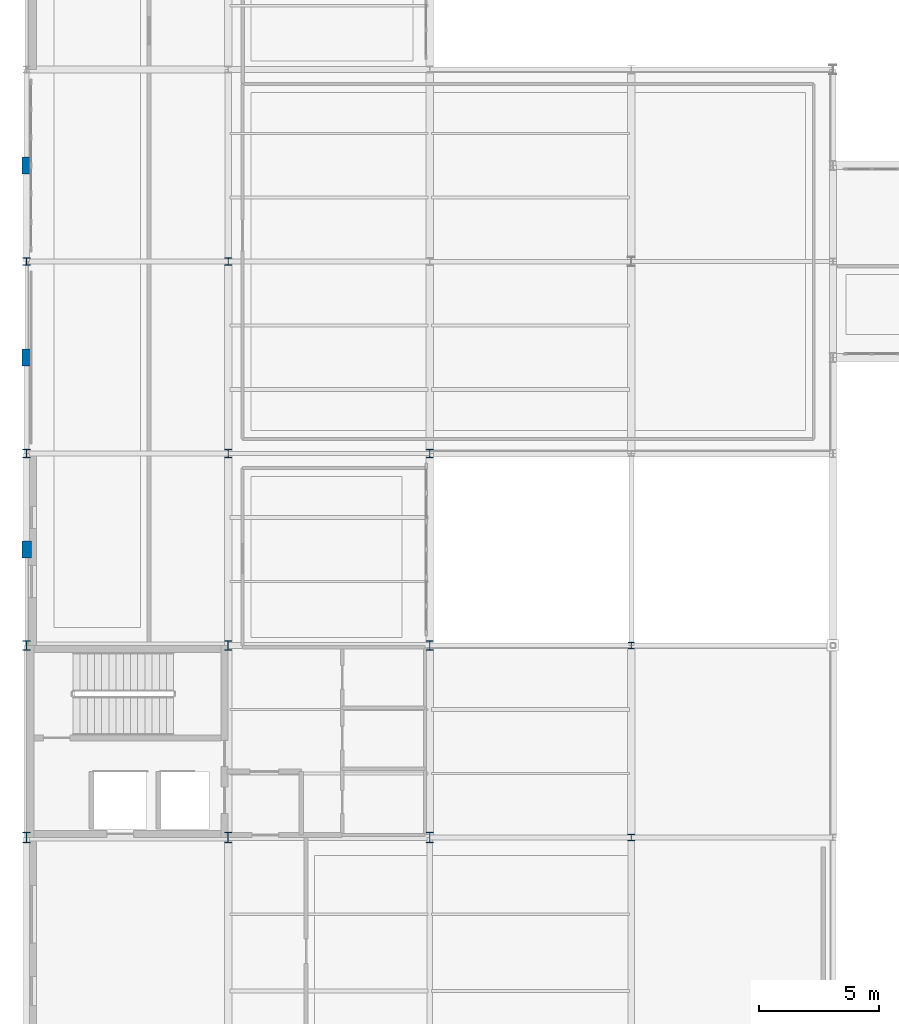
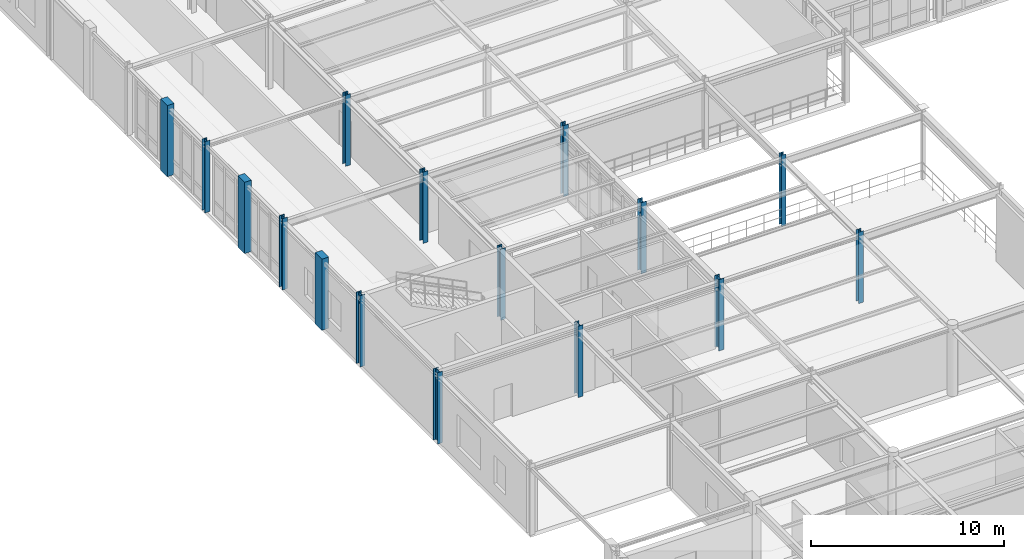
# One storey, part 5 of 106: 16 columns.
"""IFC4 building model written with IfcOpenShell, lengths in metres."""

from ifc_helpers import new_model, si_unit, derived_unit, direction, frame, origin, origin_2d, place, context, subcontext, project, spatial, rectangle, i_section, extrude, material, material_profile, profile_set, type_object, element, save


model = new_model("IFC4")

# Units and contexts
model_context = context("Model", 3, precision=1e-05, world=origin(), true_north=direction((0.0, 1.0)))
body_context = subcontext(model_context, "Body", "Model", "MODEL_VIEW")
ifc_project = project(units=[si_unit("LENGTHUNIT", "METRE"), si_unit("AREAUNIT", "SQUARE_METRE"), si_unit("VOLUMEUNIT", "CUBIC_METRE"), si_unit("PLANEANGLEUNIT", "RADIAN"), si_unit("MASSUNIT", "GRAM", prefix="KILO"), derived_unit("THERMALTRANSMITTANCEUNIT", [(si_unit("POWERUNIT", "WATT"), 1), (si_unit("AREAUNIT", "SQUARE_METRE"), -1), (si_unit("THERMODYNAMICTEMPERATUREUNIT", "KELVIN"), -1)])], contexts=[model_context])

# Site, building, storey
site_placement = place(None, origin())
site = spatial("IfcSite", under=ifc_project, at=site_placement, CompositionType="ELEMENT")
building_placement = place(site_placement, origin())
building = spatial("IfcBuilding", under=site, at=building_placement, Name="Yasenodar Specialist Clinic", CompositionType="ELEMENT")
storey_placement = place(building_placement, frame((0.0, 0.0, 4.5)))
storey = spatial("IfcBuildingStorey", under=building, at=storey_placement, Name="L01", CompositionType="ELEMENT", Elevation=4.5)

# Columns
ifc_material_1 = material(Name="Steel S355", Category="steel")
ifc_material_profile_1 = material_profile(ifc_material_1, i_section(OverallWidth=0.260009765625, OverallDepth=0.260009765625, WebThickness=0.010009765625, FlangeThickness=0.017578125, FilletRadius=0.02392578125, at=origin_2d()), Name="HEB 260")
ifc_profile_set_1 = profile_set([ifc_material_profile_1], Name="Steel S355")
column_type_1 = type_object("IfcColumnType", Name="COL-ST-HEB260", PredefinedType="COLUMN", material=ifc_profile_set_1)
column_1_placement = place(storey_placement, frame((25.199951171875, 42.800048828125, 0.0), z_axis=(0.0, 0.0, 1.0), x_axis=(1.0, 0.0, 0.0)))
element("IfcColumn", 1, at=column_1_placement, inside=storey, type_object=column_type_1, Name="L01 Column V4-051", PredefinedType="COLUMN", context=body_context, shape_type="SweptSolid", body=[
    extrude(i_section(OverallWidth=0.260009765625, OverallDepth=0.260009765625, WebThickness=0.010009765625, FlangeThickness=0.017578125, FilletRadius=0.02392578125, at=origin_2d()), origin(), (0.0, 0.0, 1.0), 4.5),
])
ifc_material_profile_2 = material_profile(ifc_material_1, i_section(OverallWidth=0.280029296875, OverallDepth=0.280029296875, WebThickness=0.010498046875, FlangeThickness=0.01806640625, FilletRadius=0.02392578125, at=origin_2d()), Name="HEB 280")
ifc_profile_set_2 = profile_set([ifc_material_profile_2], Name="Steel S355")
column_type_2 = type_object("IfcColumnType", Name="COL-ST-HEB280", PredefinedType="COLUMN", material=ifc_profile_set_2)
column_2_placement = place(storey_placement, frame((25.199951171875, 34.800048828125, 0.0), z_axis=(0.0, 0.0, 1.0), x_axis=(1.0, 0.0, 0.0)))
element("IfcColumn", 2, at=column_2_placement, inside=storey, type_object=column_type_2, Name="L01 Column V4-050", PredefinedType="COLUMN", context=body_context, shape_type="SweptSolid", body=[
    extrude(i_section(OverallWidth=0.280029296875, OverallDepth=0.280029296875, WebThickness=0.010498046875, FlangeThickness=0.01806640625, FilletRadius=0.02392578125, at=origin_2d()), origin(), (0.0, 0.0, 1.0), 4.5),
])
ifc_material_profile_3 = material_profile(ifc_material_1, i_section(OverallWidth=0.300048828125, OverallDepth=0.300048828125, WebThickness=0.010986328125, FlangeThickness=0.01904296875, FilletRadius=0.027099609375, at=origin_2d()), Name="HEB 300")
ifc_profile_set_3 = profile_set([ifc_material_profile_3], Name="Steel S355")
column_type_3 = type_object("IfcColumnType", Name="COL-ST-HEB300", PredefinedType="COLUMN", material=ifc_profile_set_3)
for number, where, z_axis, x_axis, name in (
    (3, (0.0, 58.800048828125, 0.0), (0.0, 0.0, 1.0), (1.0, 0.0, 0.0), "L01 Column V4-008"),
    (4, (8.39990234375, 58.800048828125, 0.0), (0.0, 0.0, 1.0), (1.0, 0.0, 0.0), "L01 Column V4-023"),
):
    element("IfcColumn", number, at=place(storey_placement, frame(where, z_axis=z_axis, x_axis=x_axis)), inside=storey, type_object=column_type_3, Name=name, PredefinedType="COLUMN", context=body_context, shape_type="SweptSolid", body=[
        extrude(i_section(OverallWidth=0.300048828125, OverallDepth=0.300048828125, WebThickness=0.010986328125, FlangeThickness=0.01904296875, FilletRadius=0.027099609375, at=origin_2d()), origin(), (0.0, 0.0, 1.0), 4.5),
    ])
ifc_material_profile_4 = material_profile(ifc_material_1, i_section(OverallWidth=0.300048828125, OverallDepth=0.340087890625, WebThickness=0.011962890625, FlangeThickness=0.021484375, FilletRadius=0.027099609375, at=origin_2d()), Name="HEB 340")
ifc_profile_set_4 = profile_set([ifc_material_profile_4], Name="Steel S355")
column_type_4 = type_object("IfcColumnType", Name="COL-ST-HEB340", PredefinedType="COLUMN", material=ifc_profile_set_4)
for number, where, z_axis, x_axis, name in (
    (5, (0.0, 50.800048828125, 0.0), (0.0, 0.0, 1.0), (1.0, 0.0, 0.0), "L01 Column V4-007"),
    (6, (8.39990234375, 50.800048828125, 0.0), (0.0, 0.0, 1.0), (1.0, 0.0, 0.0), "L01 Column V4-022"),
    (7, (16.800048828125, 50.800048828125, 0.0), (0.0, 0.0, 1.0), (1.0, 0.0, 0.0), "L01 Column V4-037"),
):
    element("IfcColumn", number, at=place(storey_placement, frame(where, z_axis=z_axis, x_axis=x_axis)), inside=storey, type_object=column_type_4, Name=name, PredefinedType="COLUMN", context=body_context, shape_type="SweptSolid", body=[
        extrude(i_section(OverallWidth=0.300048828125, OverallDepth=0.340087890625, WebThickness=0.011962890625, FlangeThickness=0.021484375, FilletRadius=0.027099609375, at=origin_2d()), origin(), (0.0, 0.0, 1.0), 4.5),
    ])
ifc_material_profile_5 = material_profile(ifc_material_1, i_section(OverallWidth=0.300048828125, OverallDepth=0.39990234375, WebThickness=0.013427734375, FlangeThickness=0.02392578125, FilletRadius=0.027099609375, at=origin_2d()), Name="HEB 400")
ifc_profile_set_5 = profile_set([ifc_material_profile_5], Name="Steel S355")
column_type_5 = type_object("IfcColumnType", Name="COL-ST-HEB400", PredefinedType="COLUMN", material=ifc_profile_set_5)
for number, where, z_axis, x_axis, name in (
    (8, (0.0, 42.800048828125, 0.0), (0.0, 0.0, 1.0), (1.0, 0.0, 0.0), "L01 Column V4-006"),
    (9, (8.39990234375, 42.800048828125, 0.0), (0.0, 0.0, 1.0), (1.0, 0.0, 0.0), "L01 Column V4-021"),
    (10, (16.800048828125, 42.800048828125, 0.0), (0.0, 0.0, 1.0), (1.0, 0.0, 0.0), "L01 Column V4-036"),
):
    element("IfcColumn", number, at=place(storey_placement, frame(where, z_axis=z_axis, x_axis=x_axis)), inside=storey, type_object=column_type_5, Name=name, PredefinedType="COLUMN", context=body_context, shape_type="SweptSolid", body=[
        extrude(i_section(OverallWidth=0.300048828125, OverallDepth=0.39990234375, WebThickness=0.013427734375, FlangeThickness=0.02392578125, FilletRadius=0.027099609375, at=origin_2d()), origin(), (0.0, 0.0, 1.0), 4.5),
    ])
ifc_material_profile_6 = material_profile(ifc_material_1, i_section(OverallWidth=0.300048828125, OverallDepth=0.449951171875, WebThickness=0.013916015625, FlangeThickness=0.02587890625, FilletRadius=0.027099609375, at=origin_2d()), Name="HEB 450")
ifc_profile_set_6 = profile_set([ifc_material_profile_6], Name="Steel S355")
column_type_6 = type_object("IfcColumnType", Name="COL-ST-HEB450", PredefinedType="COLUMN", material=ifc_profile_set_6)
for number, where, z_axis, x_axis, name in (
    (11, (0.0, 34.800048828125, 0.0), (0.0, 0.0, 1.0), (1.0, 0.0, 0.0), "L01 Column V4-005"),
    (12, (8.39990234375, 34.800048828125, 0.0), (0.0, 0.0, 1.0), (1.0, 0.0, 0.0), "L01 Column V4-020"),
    (13, (16.800048828125, 34.800048828125, 0.0), (0.0, 0.0, 1.0), (1.0, 0.0, 0.0), "L01 Column V4-035"),
):
    element("IfcColumn", number, at=place(storey_placement, frame(where, z_axis=z_axis, x_axis=x_axis)), inside=storey, type_object=column_type_6, Name=name, PredefinedType="COLUMN", context=body_context, shape_type="SweptSolid", body=[
        extrude(i_section(OverallWidth=0.300048828125, OverallDepth=0.449951171875, WebThickness=0.013916015625, FlangeThickness=0.02587890625, FilletRadius=0.027099609375, at=origin_2d()), origin(), (0.0, 0.0, 1.0), 4.5),
    ])
ifc_material_2 = material(Name="Concrete C35/45", Category="concrete")
ifc_material_profile_7 = material_profile(ifc_material_2, rectangle(XDim=0.39990234375, YDim=0.699951171875, at=origin_2d()), Name="RC 400x700")
ifc_profile_set_7 = profile_set([ifc_material_profile_7], Name="Concrete C35/45")
column_type_7 = type_object("IfcColumnType", Name="PIL-RC-400x700", PredefinedType="PILASTER", material=ifc_profile_set_7)
for number, where, z_axis, x_axis, name in (
    (14, (0.0, 46.800048828125, 0.0), (0.0, 0.0, 1.0), (1.0, 0.0, 0.0), "L01 Arcade Pilaster 01"),
    (15, (0.0, 54.800048828125, 0.0), (0.0, 0.0, 1.0), (1.0, 0.0, 0.0), "L01 Arcade Pilaster 02"),
    (16, (0.0, 62.800048828125, 0.0), (0.0, 0.0, 1.0), (1.0, 0.0, 0.0), "L01 Arcade Pilaster 03"),
):
    element("IfcColumn", number, at=place(storey_placement, frame(where, z_axis=z_axis, x_axis=x_axis)), inside=storey, type_object=column_type_7, Name=name, PredefinedType="PILASTER", context=body_context, shape_type="SweptSolid", body=[
        extrude(rectangle(XDim=0.39990234375, YDim=0.699951171875, at=origin_2d()), origin(), (0.0, 0.0, 1.0), 4.5),
    ])

save(model, "model.ifc")
